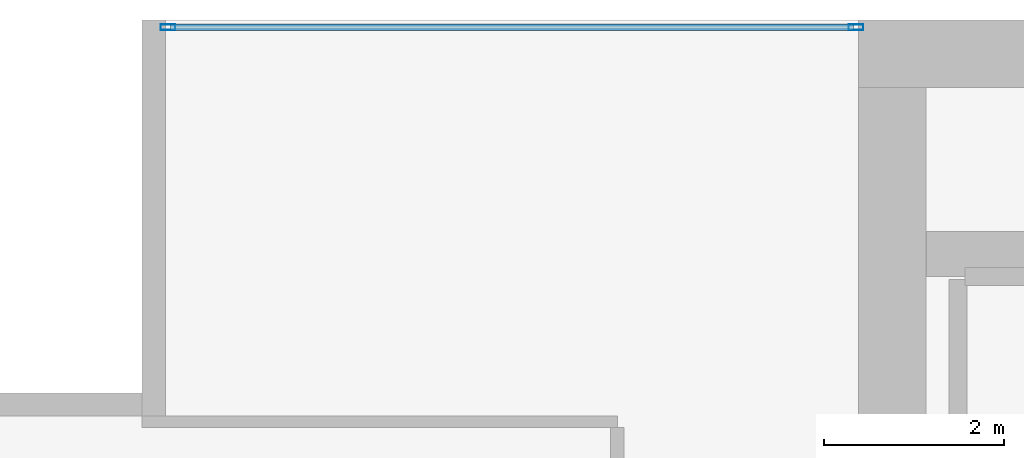
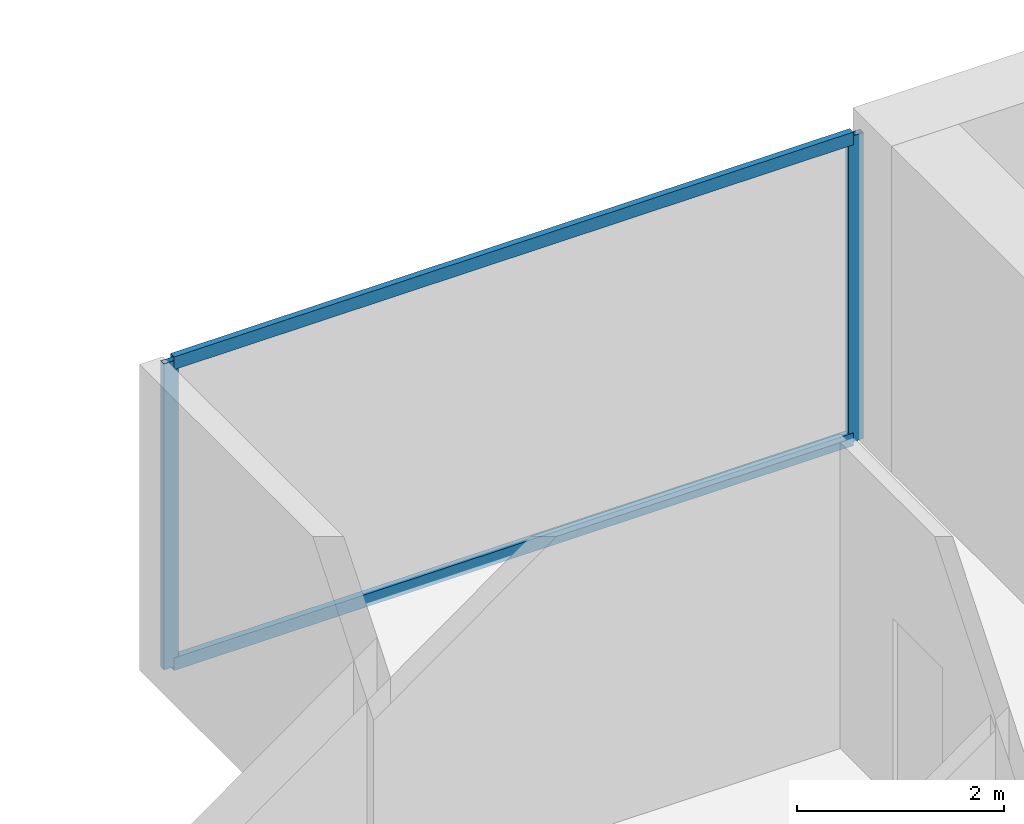
# One storey, part 22 of 34: 4 members, 1 element without a shape of its own.
"""IFC4 building model written with IfcOpenShell, lengths in metres."""

from ifc_helpers import new_model, si_unit, direction, frame, origin, origin_2d, place, context, subcontext, project, spatial, hollow_rectangle, extrude, material, layer, layer_set, material_profile, profile_set, type_object, element, aggregate, save


model = new_model("IFC4")

# Units and contexts
model_context = context("Model", 3, precision=1e-05, world=origin(), true_north=direction((0.0, 1.0)))
body_context = subcontext(model_context, "Body", "Model", "MODEL_VIEW")
ifc_project = project(units=[si_unit("LENGTHUNIT", "METRE"), si_unit("AREAUNIT", "SQUARE_METRE"), si_unit("VOLUMEUNIT", "CUBIC_METRE"), si_unit("PLANEANGLEUNIT", "RADIAN"), si_unit("MASSUNIT", "GRAM", prefix="KILO")], contexts=[model_context])

# Site, building, storey
site_placement = place(None, origin())
site = spatial("IfcSite", under=ifc_project, at=site_placement, CompositionType="ELEMENT")
building_placement = place(site_placement, origin())
building = spatial("IfcBuilding", under=site, at=building_placement, Name="Maruvema Waterfront Hotel and Observation Tower", CompositionType="ELEMENT")
storey_placement = place(building_placement, frame((0.0, 0.0, 177.449951171875)))
storey = spatial("IfcBuildingStorey", under=building, at=storey_placement, Name="L43", CompositionType="ELEMENT", Elevation=177.449951171875)

# Curtain wall, members
ifc_material_1 = material(Name="Anodised bronze aluminium and solar-control low-E IGU", Category="aluminium")
ifc_layer = layer(ifc_material_1, 0.159912109375, Name="Zone 2 Amber Inner Thermal Curtain Wall System CW-03")
ifc_layer_set = layer_set([ifc_layer], Name="Anodised bronze aluminium and solar-control low-E IGU")
curtain_wall_type = type_object("IfcCurtainWallType", Name="Zone 2 Amber Inner Thermal Curtain Wall System CW-03", PredefinedType="USERDEFINED", material=ifc_layer_set)
curtain_wall_placement = place(storey_placement, origin())
curtain_wall = element("IfcCurtainWall", 1, at=curtain_wall_placement, inside=storey, type_object=curtain_wall_type, Name="L43 Curtain Wall CW-L43-NW", ObjectType="UNITISED CURTAIN WALL", PredefinedType="USERDEFINED")
ifc_material_2 = material(Name="Anodised architectural bronze aluminium", Category="aluminium")
ifc_material_profile_1 = material_profile(ifc_material_2, hollow_rectangle(XDim=0.070068359375, YDim=0.14990234375, WallThickness=0.00390625, at=origin_2d()), Name="ALU-T70x150")
ifc_profile_set_1 = profile_set([ifc_material_profile_1], Name="Anodised architectural bronze aluminium")
member_type_1 = type_object("IfcMemberType", Name="Curtain Wall Horizontal Transom ALU-T70x150", PredefinedType="USERDEFINED", material=ifc_profile_set_1)
member_1_placement = place(storey_placement, frame((25.139892578125, 53.919921875, 0.030029296875), z_axis=(-1.0, 0.0, 0.0), x_axis=(0.0, -1.0, 0.0)))
member_1 = element("IfcMember", 2, at=member_1_placement, type_object=member_type_1, Name="CW-03 transom 1.1", ObjectType="TRANSOM", PredefinedType="USERDEFINED", context=body_context, shape_type="SweptSolid", body=[
    extrude(hollow_rectangle(XDim=0.070068359375, YDim=0.14990234375, WallThickness=0.00390625, at=origin_2d()), origin(), (0.0, 0.0, 1.0), 7.579833984375),
])
member_2_placement = place(storey_placement, frame((25.139892578125, 53.919921875, 3.580078125), z_axis=(-1.0, 0.0, 0.0), x_axis=(0.0, -1.0, 0.0)))
member_2 = element("IfcMember", 3, at=member_2_placement, type_object=member_type_1, Name="CW-03 transom 1.2", ObjectType="TRANSOM", PredefinedType="USERDEFINED", context=body_context, shape_type="SweptSolid", body=[
    extrude(hollow_rectangle(XDim=0.070068359375, YDim=0.14990234375, WallThickness=0.00390625, at=origin_2d()), origin(), (0.0, 0.0, 1.0), 7.579833984375),
])
ifc_material_3 = material(Name="Anodised architectural bronze aluminium", Category="aluminium")
ifc_material_profile_2 = material_profile(ifc_material_3, hollow_rectangle(XDim=0.06494140625, YDim=0.1650390625, WallThickness=0.00390625, at=origin_2d()), Name="ALU-M65x165")
ifc_profile_set_2 = profile_set([ifc_material_profile_2], Name="Anodised architectural bronze aluminium")
member_type_2 = type_object("IfcMemberType", Name="Curtain Wall Primary Mullion ALU-M65x165", PredefinedType="MULLION", material=ifc_profile_set_2)
member_3_placement = place(storey_placement, frame((25.169921875, 53.919921875, 0.0), z_axis=(0.0, 0.0, 1.0), x_axis=(0.0, -1.0, 0.0)))
member_3 = element("IfcMember", 4, at=member_3_placement, type_object=member_type_2, Name="CW-03 mullion 1", PredefinedType="MULLION", context=body_context, shape_type="SweptSolid", body=[
    extrude(hollow_rectangle(XDim=0.06494140625, YDim=0.1650390625, WallThickness=0.00390625, at=origin_2d()), origin(), (0.0, 0.0, 1.0), 3.610107421875),
])
member_4_placement = place(storey_placement, frame((17.530029296875, 53.919921875, 0.0), z_axis=(0.0, 0.0, 1.0), x_axis=(0.0, -1.0, 0.0)))
member_4 = element("IfcMember", 5, at=member_4_placement, type_object=member_type_2, Name="CW-03 mullion 2", PredefinedType="MULLION", context=body_context, shape_type="SweptSolid", body=[
    extrude(hollow_rectangle(XDim=0.06494140625, YDim=0.1650390625, WallThickness=0.00390625, at=origin_2d()), origin(), (0.0, 0.0, 1.0), 3.610107421875),
])
aggregate(curtain_wall, [member_3, member_4, member_1, member_2])

save(model, "model.ifc")
